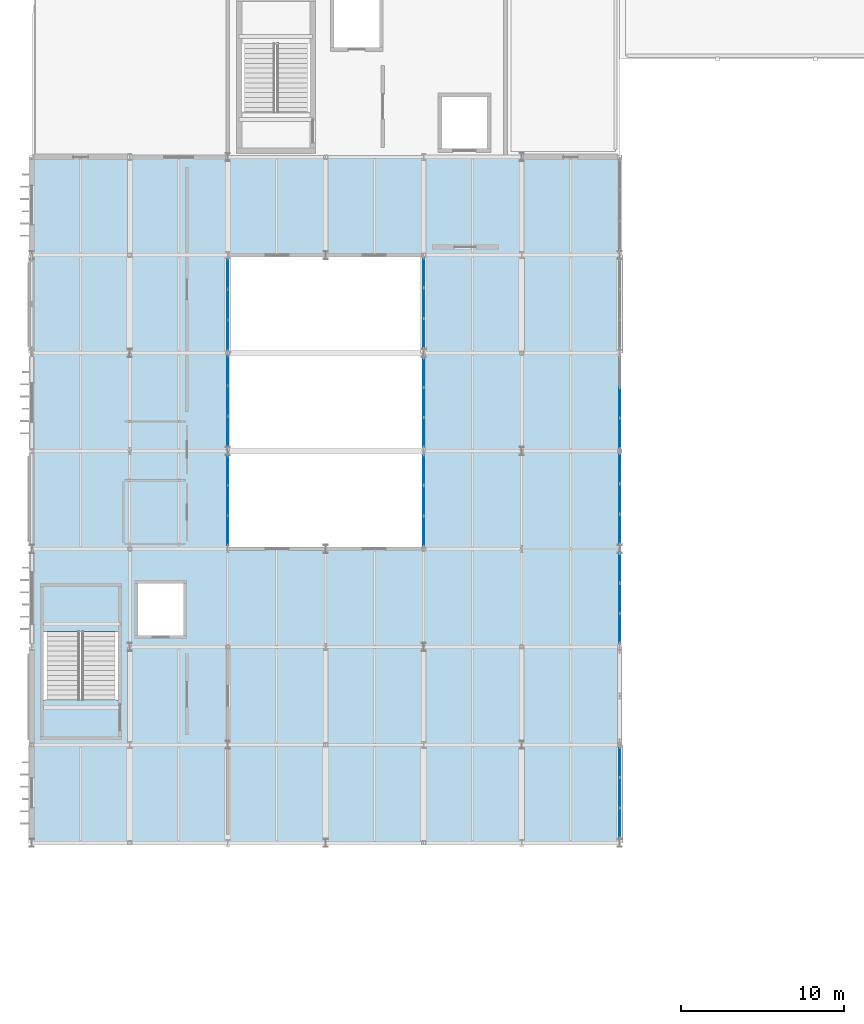
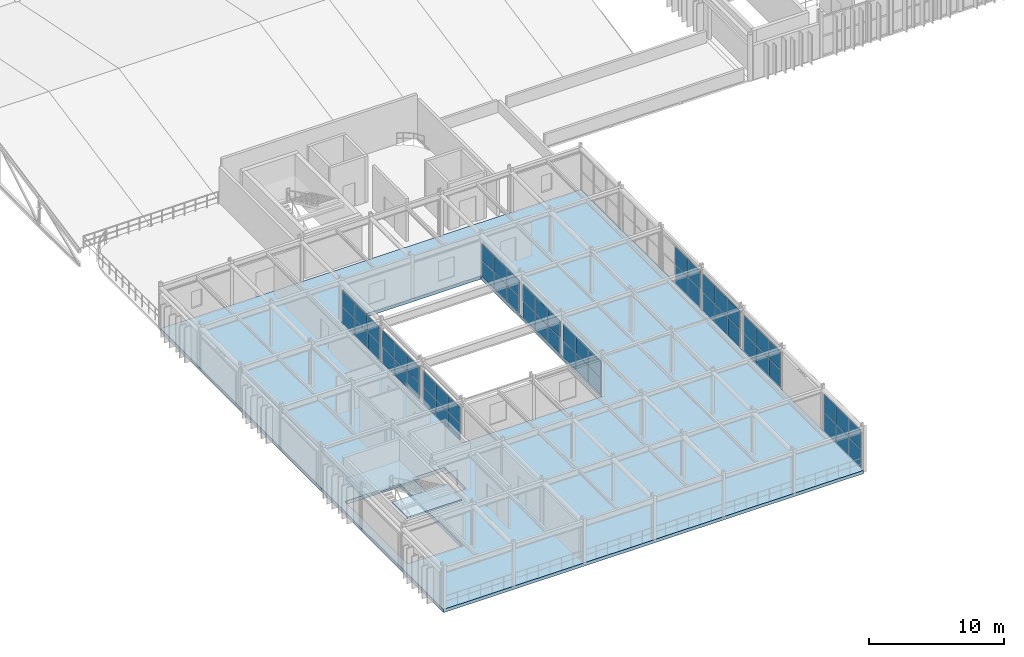
# One storey, part 47 of 83: 58 plates, 3 slabs, 11 elements without a shape of their own.
"""IFC4 building model written with IfcOpenShell, lengths in metres."""

from ifc_helpers import new_model, si_unit, direction, frame, origin, origin_2d, place, context, subcontext, project, spatial, polyline, rectangle, outline, extrude, material, layer, layer_set, type_object, element, aggregate, save


model = new_model("IFC4")

# Units and contexts
model_context = context("Model", 3, precision=1e-05, world=origin(), true_north=direction((0.0, 1.0)))
body_context = subcontext(model_context, "Body", "Model", "MODEL_VIEW")
ifc_project = project(units=[si_unit("LENGTHUNIT", "METRE"), si_unit("AREAUNIT", "SQUARE_METRE"), si_unit("VOLUMEUNIT", "CUBIC_METRE"), si_unit("PLANEANGLEUNIT", "RADIAN"), si_unit("MASSUNIT", "GRAM", prefix="KILO")], contexts=[model_context])

# Site, building, storey
site_placement = place(None, origin())
site = spatial("IfcSite", under=ifc_project, at=site_placement, CompositionType="ELEMENT")
building_placement = place(site_placement, origin())
building = spatial("IfcBuilding", under=site, at=building_placement, Name="Varnakota Square Police Headquarters", CompositionType="ELEMENT")
storey_placement = place(building_placement, frame((0.0, 0.0, 18.0)))
storey = spatial("IfcBuildingStorey", under=building, at=storey_placement, Name="L04", CompositionType="ELEMENT", Elevation=18.0)

# Curtain wall, plates
ifc_material_1 = material(Name="Anodised Aluminium Framing", Category="aluminium")
curtain_wall_type_1 = type_object("IfcCurtainWallType", Name="CW-SYS-D", PredefinedType="NOTDEFINED", material=ifc_material_1)
curtain_wall_1_placement = place(storey_placement, origin())
curtain_wall_1 = element("IfcCurtainWall", 1, at=curtain_wall_1_placement, inside=storey, type_object=curtain_wall_type_1, Name="Unitised curtain wall CWG-L04-183", PredefinedType="NOTDEFINED")
ifc_material_2 = material(Name="Solar-Control Laminated Double Glazing", Category="glass")
ifc_layer_1 = layer(ifc_material_2, 0.028076171875, Name="Solar-Control Laminated Double Glazing")
ifc_layer_set_1 = layer_set([ifc_layer_1], Name="Solar-Control Laminated Double Glazing")
plate_type_1 = type_object("IfcPlateType", Name="CWP-GLZ-28", PredefinedType="CURTAIN_PANEL", material=ifc_layer_set_1)
plate_1_placement = place(storey_placement, frame((42.0, 46.09033203125, 0.06494140625), z_axis=(0.0, 0.0, 1.0), x_axis=(0.0, 1.0, 0.0)))
plate_1 = element("IfcPlate", 2, at=plate_1_placement, type_object=plate_type_1, Name="CWG-L04-183 panel 1.1", PredefinedType="CURTAIN_PANEL", context=body_context, shape_type="SweptSolid", body=[
    extrude(rectangle(XDim=1.790771484375, YDim=0.028076171875, at=origin_2d()), origin(), (0.0, 0.0, 1.0), 1.62255859375),
])
plate_2_placement = place(storey_placement, frame((42.0, 47.96240234375, 0.06494140625), z_axis=(0.0, 0.0, 1.0), x_axis=(0.0, 1.0, 0.0)))
plate_2 = element("IfcPlate", 3, at=plate_2_placement, type_object=plate_type_1, Name="CWG-L04-183 panel 2.1", PredefinedType="CURTAIN_PANEL", context=body_context, shape_type="SweptSolid", body=[
    extrude(rectangle(XDim=1.8232421875, YDim=0.028076171875, at=origin_2d()), origin(), (0.0, 0.0, 1.0), 1.62255859375),
])

curtain_wall_type_2 = type_object("IfcCurtainWallType", Name="CW-SYS-F", PredefinedType="NOTDEFINED", material=ifc_material_1)
curtain_wall_2_placement = place(storey_placement, origin())
curtain_wall_2 = element("IfcCurtainWall", 4, at=curtain_wall_2_placement, inside=storey, type_object=curtain_wall_type_2, Name="Unitised curtain wall CWG-L04-187", PredefinedType="NOTDEFINED")
plate_3_placement = place(storey_placement, frame((30.0, 40.09033203125, 0.06494140625), z_axis=(0.0, 0.0, 1.0), x_axis=(0.0, 1.0, 0.0)))
plate_3 = element("IfcPlate", 5, at=plate_3_placement, type_object=plate_type_1, Name="CWG-L04-187 panel 1.1", PredefinedType="CURTAIN_PANEL", context=body_context, shape_type="SweptSolid", body=[
    extrude(rectangle(XDim=1.790771484375, YDim=0.028076171875, at=origin_2d()), origin(), (0.0, 0.0, 1.0), 1.447509765625),
])
plate_4_placement = place(storey_placement, frame((30.0, 41.96240234375, 0.06494140625), z_axis=(0.0, 0.0, 1.0), x_axis=(0.0, 1.0, 0.0)))
plate_4 = element("IfcPlate", 6, at=plate_4_placement, type_object=plate_type_1, Name="CWG-L04-187 panel 2.1", PredefinedType="CURTAIN_PANEL", context=body_context, shape_type="SweptSolid", body=[
    extrude(rectangle(XDim=1.8232421875, YDim=0.028076171875, at=origin_2d()), origin(), (0.0, 0.0, 1.0), 1.447509765625),
])
plate_5_placement = place(storey_placement, frame((30.0, 43.83447265625, 0.06494140625), z_axis=(0.0, 0.0, 1.0), x_axis=(0.0, 1.0, 0.0)))
plate_5 = element("IfcPlate", 7, at=plate_5_placement, type_object=plate_type_1, Name="CWG-L04-187 panel 3.1", PredefinedType="CURTAIN_PANEL", context=body_context, shape_type="SweptSolid", body=[
    extrude(rectangle(XDim=1.790771484375, YDim=0.028076171875, at=origin_2d()), origin(), (0.0, 0.0, 1.0), 1.447509765625),
])

curtain_wall_3_placement = place(storey_placement, origin())
curtain_wall_3 = element("IfcCurtainWall", 8, at=curtain_wall_3_placement, inside=storey, type_object=curtain_wall_type_2, Name="Unitised curtain wall CWG-L04-191", PredefinedType="NOTDEFINED")
plate_6_placement = place(storey_placement, frame((30.0, 52.20703125, 0.06494140625), z_axis=(0.0, 0.0, 1.0), x_axis=(0.0, 1.0, 0.0)))
plate_6 = element("IfcPlate", 9, at=plate_6_placement, type_object=plate_type_1, Name="CWG-L04-191 panel 1.1", PredefinedType="CURTAIN_PANEL", context=body_context, shape_type="SweptSolid", body=[
    extrude(rectangle(XDim=1.774169921875, YDim=0.028076171875, at=origin_2d()), origin(), (0.0, 0.0, 1.0), 1.447509765625),
])
plate_7_placement = place(storey_placement, frame((30.0, 54.0625, 0.06494140625), z_axis=(0.0, 0.0, 1.0), x_axis=(0.0, 1.0, 0.0)))
plate_7 = element("IfcPlate", 10, at=plate_7_placement, type_object=plate_type_1, Name="CWG-L04-191 panel 2.1", PredefinedType="CURTAIN_PANEL", context=body_context, shape_type="SweptSolid", body=[
    extrude(rectangle(XDim=1.806640625, YDim=0.028076171875, at=origin_2d()), origin(), (0.0, 0.0, 1.0), 1.447509765625),
])
plate_8_placement = place(storey_placement, frame((30.0, 55.91796875, 0.06494140625), z_axis=(0.0, 0.0, 1.0), x_axis=(0.0, 1.0, 0.0)))
plate_8 = element("IfcPlate", 11, at=plate_8_placement, type_object=plate_type_1, Name="CWG-L04-191 panel 3.1", PredefinedType="CURTAIN_PANEL", context=body_context, shape_type="SweptSolid", body=[
    extrude(rectangle(XDim=1.774169921875, YDim=0.028076171875, at=origin_2d()), origin(), (0.0, 0.0, 1.0), 1.447509765625),
])

curtain_wall_4_placement = place(storey_placement, origin())
curtain_wall_4 = element("IfcCurtainWall", 12, at=curtain_wall_4_placement, inside=storey, type_object=curtain_wall_type_1, Name="Unitised curtain wall CWG-L04-180", PredefinedType="NOTDEFINED")
ifc_material_3 = material(Name="Acoustic Laminated Double Glazing", Category="glass")
ifc_layer_2 = layer(ifc_material_3, 0.031982421875, Name="Acoustic Laminated Double Glazing")
ifc_layer_set_2 = layer_set([ifc_layer_2], Name="Acoustic Laminated Double Glazing")
plate_type_2 = type_object("IfcPlateType", Name="CWP-GLZ-32", PredefinedType="CURTAIN_PANEL", material=ifc_layer_set_2)
plate_9_placement = place(storey_placement, frame((42.0, 22.20703125, 0.06494140625), z_axis=(0.0, 0.0, 1.0), x_axis=(0.0, 1.0, 0.0)))
plate_9 = element("IfcPlate", 13, at=plate_9_placement, type_object=plate_type_2, Name="CWG-L04-180 panel 1.1", PredefinedType="CURTAIN_PANEL", context=body_context, shape_type="SweptSolid", body=[
    extrude(rectangle(XDim=1.774169921875, YDim=0.031982421875, at=origin_2d()), origin(), (0.0, 0.0, 1.0), 1.644287109375),
])
plate_10_placement = place(storey_placement, frame((42.0, 24.0625, 0.06494140625), z_axis=(0.0, 0.0, 1.0), x_axis=(0.0, 1.0, 0.0)))
plate_10 = element("IfcPlate", 14, at=plate_10_placement, type_object=plate_type_2, Name="CWG-L04-180 panel 2.1", PredefinedType="CURTAIN_PANEL", context=body_context, shape_type="SweptSolid", body=[
    extrude(rectangle(XDim=1.806640625, YDim=0.031982421875, at=origin_2d()), origin(), (0.0, 0.0, 1.0), 1.644287109375),
])
plate_11_placement = place(storey_placement, frame((42.0, 25.91796875, 0.06494140625), z_axis=(0.0, 0.0, 1.0), x_axis=(0.0, 1.0, 0.0)))
plate_11 = element("IfcPlate", 15, at=plate_11_placement, type_object=plate_type_2, Name="CWG-L04-180 panel 3.1", PredefinedType="CURTAIN_PANEL", context=body_context, shape_type="SweptSolid", body=[
    extrude(rectangle(XDim=1.774169921875, YDim=0.031982421875, at=origin_2d()), origin(), (0.0, 0.0, 1.0), 1.644287109375),
])

curtain_wall_5_placement = place(storey_placement, origin())
curtain_wall_5 = element("IfcCurtainWall", 16, at=curtain_wall_5_placement, inside=storey, type_object=curtain_wall_type_2, Name="Unitised curtain wall CWG-L04-188", PredefinedType="NOTDEFINED")
plate_12_placement = place(storey_placement, frame((18.0, 46.20703125, 0.06494140625), z_axis=(0.0, 0.0, 1.0), x_axis=(0.0, 1.0, 0.0)))
plate_12 = element("IfcPlate", 17, at=plate_12_placement, type_object=plate_type_2, Name="CWG-L04-188 panel 1.1", PredefinedType="CURTAIN_PANEL", context=body_context, shape_type="SweptSolid", body=[
    extrude(rectangle(XDim=1.774169921875, YDim=0.031982421875, at=origin_2d()), origin(), (0.0, 0.0, 1.0), 1.447509765625),
])
plate_13_placement = place(storey_placement, frame((18.0, 48.0625, 0.06494140625), z_axis=(0.0, 0.0, 1.0), x_axis=(0.0, 1.0, 0.0)))
plate_13 = element("IfcPlate", 18, at=plate_13_placement, type_object=plate_type_2, Name="CWG-L04-188 panel 2.1", PredefinedType="CURTAIN_PANEL", context=body_context, shape_type="SweptSolid", body=[
    extrude(rectangle(XDim=1.806640625, YDim=0.031982421875, at=origin_2d()), origin(), (0.0, 0.0, 1.0), 1.447509765625),
])
plate_14_placement = place(storey_placement, frame((18.0, 49.91796875, 0.06494140625), z_axis=(0.0, 0.0, 1.0), x_axis=(0.0, 1.0, 0.0)))
plate_14 = element("IfcPlate", 19, at=plate_14_placement, type_object=plate_type_2, Name="CWG-L04-188 panel 3.1", PredefinedType="CURTAIN_PANEL", context=body_context, shape_type="SweptSolid", body=[
    extrude(rectangle(XDim=1.774169921875, YDim=0.031982421875, at=origin_2d()), origin(), (0.0, 0.0, 1.0), 1.447509765625),
])

curtain_wall_6_placement = place(storey_placement, origin())
curtain_wall_6 = element("IfcCurtainWall", 20, at=curtain_wall_6_placement, inside=storey, type_object=curtain_wall_type_1, Name="Unitised curtain wall CWG-L04-181", PredefinedType="NOTDEFINED")
ifc_material_4 = material(Name="Blast-Resistant Laminated Glazing", Category="glass")
ifc_layer_3 = layer(ifc_material_4, 0.035888671875, Name="Blast-Resistant Laminated Glazing")
ifc_layer_set_3 = layer_set([ifc_layer_3], Name="Blast-Resistant Laminated Glazing")
plate_type_3 = type_object("IfcPlateType", Name="CWP-GLZ-36", PredefinedType="CURTAIN_PANEL", material=ifc_layer_set_3)
plate_15_placement = place(storey_placement, frame((42.0, 34.14453125, 0.06494140625), z_axis=(0.0, 0.0, 1.0), x_axis=(0.0, 1.0, 0.0)))
plate_15 = element("IfcPlate", 21, at=plate_15_placement, type_object=plate_type_3, Name="CWG-L04-181 panel 1.1", PredefinedType="CURTAIN_PANEL", context=body_context, shape_type="SweptSolid", body=[
    extrude(rectangle(XDim=1.749267578125, YDim=0.035888671875, at=origin_2d()), origin(), (0.0, 0.0, 1.0), 1.597412109375),
])
plate_16_placement = place(storey_placement, frame((42.0, 35.97509765625, 0.06494140625), z_axis=(0.0, 0.0, 1.0), x_axis=(0.0, 1.0, 0.0)))
plate_16 = element("IfcPlate", 22, at=plate_16_placement, type_object=plate_type_3, Name="CWG-L04-181 panel 2.1", PredefinedType="CURTAIN_PANEL", context=body_context, shape_type="SweptSolid", body=[
    extrude(rectangle(XDim=1.78173828125, YDim=0.035888671875, at=origin_2d()), origin(), (0.0, 0.0, 1.0), 1.597412109375),
])
plate_17_placement = place(storey_placement, frame((42.0, 37.805419921875, 0.06494140625), z_axis=(0.0, 0.0, 1.0), x_axis=(0.0, 1.0, 0.0)))
plate_17 = element("IfcPlate", 23, at=plate_17_placement, type_object=plate_type_3, Name="CWG-L04-181 panel 3.1", PredefinedType="CURTAIN_PANEL", context=body_context, shape_type="SweptSolid", body=[
    extrude(rectangle(XDim=1.749267578125, YDim=0.035888671875, at=origin_2d()), origin(), (0.0, 0.0, 1.0), 1.597412109375),
])

curtain_wall_7_placement = place(storey_placement, origin())
curtain_wall_7 = element("IfcCurtainWall", 24, at=curtain_wall_7_placement, inside=storey, type_object=curtain_wall_type_2, Name="Unitised curtain wall CWG-L04-189", PredefinedType="NOTDEFINED")
plate_18_placement = place(storey_placement, frame((30.0, 46.14453125, 0.06494140625), z_axis=(0.0, 0.0, 1.0), x_axis=(0.0, 1.0, 0.0)))
plate_18 = element("IfcPlate", 25, at=plate_18_placement, type_object=plate_type_3, Name="CWG-L04-189 panel 1.1", PredefinedType="CURTAIN_PANEL", context=body_context, shape_type="SweptSolid", body=[
    extrude(rectangle(XDim=1.749267578125, YDim=0.035888671875, at=origin_2d()), origin(), (0.0, 0.0, 1.0), 1.447509765625),
])
plate_19_placement = place(storey_placement, frame((30.0, 47.97509765625, 0.06494140625), z_axis=(0.0, 0.0, 1.0), x_axis=(0.0, 1.0, 0.0)))
plate_19 = element("IfcPlate", 26, at=plate_19_placement, type_object=plate_type_3, Name="CWG-L04-189 panel 2.1", PredefinedType="CURTAIN_PANEL", context=body_context, shape_type="SweptSolid", body=[
    extrude(rectangle(XDim=1.78173828125, YDim=0.035888671875, at=origin_2d()), origin(), (0.0, 0.0, 1.0), 1.447509765625),
])
plate_20_placement = place(storey_placement, frame((30.0, 49.805419921875, 0.06494140625), z_axis=(0.0, 0.0, 1.0), x_axis=(0.0, 1.0, 0.0)))
plate_20 = element("IfcPlate", 27, at=plate_20_placement, type_object=plate_type_3, Name="CWG-L04-189 panel 3.1", PredefinedType="CURTAIN_PANEL", context=body_context, shape_type="SweptSolid", body=[
    extrude(rectangle(XDim=1.749267578125, YDim=0.035888671875, at=origin_2d()), origin(), (0.0, 0.0, 1.0), 1.447509765625),
])

curtain_wall_8_placement = place(storey_placement, origin())
curtain_wall_8 = element("IfcCurtainWall", 28, at=curtain_wall_8_placement, inside=storey, type_object=curtain_wall_type_1, Name="Unitised curtain wall CWG-L04-182", PredefinedType="NOTDEFINED")
ifc_material_5 = material(Name="Triple-Glazed Clean-Lab Vision Unit", Category="aluminium")
ifc_layer_4 = layer(ifc_material_5, 0.0419921875, Name="Triple-Glazed Clean-Lab Vision Unit")
ifc_layer_set_4 = layer_set([ifc_layer_4], Name="Triple-Glazed Clean-Lab Vision Unit")
plate_type_4 = type_object("IfcPlateType", Name="CWP-GLZ-42", PredefinedType="CURTAIN_PANEL", material=ifc_layer_set_4)
plate_21_placement = place(storey_placement, frame((42.0, 40.20703125, 0.06494140625), z_axis=(0.0, 0.0, 1.0), x_axis=(0.0, 1.0, 0.0)))
plate_21 = element("IfcPlate", 29, at=plate_21_placement, type_object=plate_type_4, Name="CWG-L04-182 panel 1.1", PredefinedType="CURTAIN_PANEL", context=body_context, shape_type="SweptSolid", body=[
    extrude(rectangle(XDim=1.774169921875, YDim=0.0419921875, at=origin_2d()), origin(), (0.0, 0.0, 1.0), 1.62255859375),
])
plate_22_placement = place(storey_placement, frame((42.0, 42.0625, 0.06494140625), z_axis=(0.0, 0.0, 1.0), x_axis=(0.0, 1.0, 0.0)))
plate_22 = element("IfcPlate", 30, at=plate_22_placement, type_object=plate_type_4, Name="CWG-L04-182 panel 2.1", PredefinedType="CURTAIN_PANEL", context=body_context, shape_type="SweptSolid", body=[
    extrude(rectangle(XDim=1.806640625, YDim=0.0419921875, at=origin_2d()), origin(), (0.0, 0.0, 1.0), 1.62255859375),
])
plate_23_placement = place(storey_placement, frame((42.0, 43.91796875, 0.06494140625), z_axis=(0.0, 0.0, 1.0), x_axis=(0.0, 1.0, 0.0)))
plate_23 = element("IfcPlate", 31, at=plate_23_placement, type_object=plate_type_4, Name="CWG-L04-182 panel 3.1", PredefinedType="CURTAIN_PANEL", context=body_context, shape_type="SweptSolid", body=[
    extrude(rectangle(XDim=1.774169921875, YDim=0.0419921875, at=origin_2d()), origin(), (0.0, 0.0, 1.0), 1.62255859375),
])

curtain_wall_9_placement = place(storey_placement, origin())
curtain_wall_9 = element("IfcCurtainWall", 32, at=curtain_wall_9_placement, inside=storey, type_object=curtain_wall_type_2, Name="Unitised curtain wall CWG-L04-186", PredefinedType="NOTDEFINED")
plate_24_placement = place(storey_placement, frame((18.0, 40.14453125, 0.06494140625), z_axis=(0.0, 0.0, 1.0), x_axis=(0.0, 1.0, 0.0)))
plate_24 = element("IfcPlate", 33, at=plate_24_placement, type_object=plate_type_4, Name="CWG-L04-186 panel 1.1", PredefinedType="CURTAIN_PANEL", context=body_context, shape_type="SweptSolid", body=[
    extrude(rectangle(XDim=1.749267578125, YDim=0.0419921875, at=origin_2d()), origin(), (0.0, 0.0, 1.0), 1.447509765625),
])
plate_25_placement = place(storey_placement, frame((18.0, 41.97509765625, 0.06494140625), z_axis=(0.0, 0.0, 1.0), x_axis=(0.0, 1.0, 0.0)))
plate_25 = element("IfcPlate", 34, at=plate_25_placement, type_object=plate_type_4, Name="CWG-L04-186 panel 2.1", PredefinedType="CURTAIN_PANEL", context=body_context, shape_type="SweptSolid", body=[
    extrude(rectangle(XDim=1.78173828125, YDim=0.0419921875, at=origin_2d()), origin(), (0.0, 0.0, 1.0), 1.447509765625),
])
plate_26_placement = place(storey_placement, frame((18.0, 43.805419921875, 0.06494140625), z_axis=(0.0, 0.0, 1.0), x_axis=(0.0, 1.0, 0.0)))
plate_26 = element("IfcPlate", 35, at=plate_26_placement, type_object=plate_type_4, Name="CWG-L04-186 panel 3.1", PredefinedType="CURTAIN_PANEL", context=body_context, shape_type="SweptSolid", body=[
    extrude(rectangle(XDim=1.749267578125, YDim=0.0419921875, at=origin_2d()), origin(), (0.0, 0.0, 1.0), 1.447509765625),
])

curtain_wall_10_placement = place(storey_placement, origin())
curtain_wall_10 = element("IfcCurtainWall", 36, at=curtain_wall_10_placement, inside=storey, type_object=curtain_wall_type_2, Name="Unitised curtain wall CWG-L04-190", PredefinedType="NOTDEFINED")
plate_27_placement = place(storey_placement, frame((18.0, 52.09033203125, 0.06494140625), z_axis=(0.0, 0.0, 1.0), x_axis=(0.0, 1.0, 0.0)))
plate_27 = element("IfcPlate", 37, at=plate_27_placement, type_object=plate_type_4, Name="CWG-L04-190 panel 1.1", PredefinedType="CURTAIN_PANEL", context=body_context, shape_type="SweptSolid", body=[
    extrude(rectangle(XDim=1.790771484375, YDim=0.0419921875, at=origin_2d()), origin(), (0.0, 0.0, 1.0), 1.447509765625),
])
plate_28_placement = place(storey_placement, frame((18.0, 53.96240234375, 0.06494140625), z_axis=(0.0, 0.0, 1.0), x_axis=(0.0, 1.0, 0.0)))
plate_28 = element("IfcPlate", 38, at=plate_28_placement, type_object=plate_type_4, Name="CWG-L04-190 panel 2.1", PredefinedType="CURTAIN_PANEL", context=body_context, shape_type="SweptSolid", body=[
    extrude(rectangle(XDim=1.8232421875, YDim=0.0419921875, at=origin_2d()), origin(), (0.0, 0.0, 1.0), 1.447509765625),
])
plate_29_placement = place(storey_placement, frame((18.0, 55.83447265625, 0.06494140625), z_axis=(0.0, 0.0, 1.0), x_axis=(0.0, 1.0, 0.0)))
plate_29 = element("IfcPlate", 39, at=plate_29_placement, type_object=plate_type_4, Name="CWG-L04-190 panel 3.1", PredefinedType="CURTAIN_PANEL", context=body_context, shape_type="SweptSolid", body=[
    extrude(rectangle(XDim=1.790771484375, YDim=0.0419921875, at=origin_2d()), origin(), (0.0, 0.0, 1.0), 1.447509765625),
])

# Plate
ifc_material_6 = material(Name="Insulated Anodised Aluminium Spandrel Panel", Category="aluminium")
ifc_layer_5 = layer(ifc_material_6, 0.050048828125, Name="Insulated Anodised Aluminium Spandrel Panel")
ifc_layer_set_5 = layer_set([ifc_layer_5], Name="Insulated Anodised Aluminium Spandrel Panel")
plate_type_5 = type_object("IfcPlateType", Name="CWP-SPN-50", PredefinedType="CURTAIN_PANEL", material=ifc_layer_set_5)
plate_30_placement = place(storey_placement, frame((42.0, 34.14453125, 1.7275390625), z_axis=(0.0, 0.0, 1.0), x_axis=(0.0, 1.0, 0.0)))
plate_30 = element("IfcPlate", 40, at=plate_30_placement, type_object=plate_type_5, Name="CWG-L04-181 panel 1.2", PredefinedType="CURTAIN_PANEL", context=body_context, shape_type="SweptSolid", body=[
    extrude(rectangle(XDim=1.749267578125, YDim=0.050048828125, at=origin_2d()), origin(), (0.0, 0.0, 1.0), 1.597412109375),
])

plate_31_placement = place(storey_placement, frame((42.0, 35.97509765625, 1.7275390625), z_axis=(0.0, 0.0, 1.0), x_axis=(0.0, 1.0, 0.0)))
plate_31 = element("IfcPlate", 41, at=plate_31_placement, type_object=plate_type_5, Name="CWG-L04-181 panel 2.2", PredefinedType="CURTAIN_PANEL", context=body_context, shape_type="SweptSolid", body=[
    extrude(rectangle(XDim=1.78173828125, YDim=0.050048828125, at=origin_2d()), origin(), (0.0, 0.0, 1.0), 1.597412109375),
])

plate_32_placement = place(storey_placement, frame((42.0, 37.805419921875, 1.7275390625), z_axis=(0.0, 0.0, 1.0), x_axis=(0.0, 1.0, 0.0)))
plate_32 = element("IfcPlate", 42, at=plate_32_placement, type_object=plate_type_5, Name="CWG-L04-181 panel 3.2", PredefinedType="CURTAIN_PANEL", context=body_context, shape_type="SweptSolid", body=[
    extrude(rectangle(XDim=1.749267578125, YDim=0.050048828125, at=origin_2d()), origin(), (0.0, 0.0, 1.0), 1.597412109375),
])

aggregate(curtain_wall_6, [plate_15, plate_30, plate_16, plate_31, plate_17, plate_32])

plate_33_placement = place(storey_placement, frame((42.0, 46.09033203125, 1.75244140625), z_axis=(0.0, 0.0, 1.0), x_axis=(0.0, 1.0, 0.0)))
plate_33 = element("IfcPlate", 43, at=plate_33_placement, type_object=plate_type_5, Name="CWG-L04-183 panel 1.2", PredefinedType="CURTAIN_PANEL", context=body_context, shape_type="SweptSolid", body=[
    extrude(rectangle(XDim=1.790771484375, YDim=0.050048828125, at=origin_2d()), origin(), (0.0, 0.0, 1.0), 1.62255859375),
])

plate_34_placement = place(storey_placement, frame((42.0, 47.96240234375, 1.75244140625), z_axis=(0.0, 0.0, 1.0), x_axis=(0.0, 1.0, 0.0)))
plate_34 = element("IfcPlate", 44, at=plate_34_placement, type_object=plate_type_5, Name="CWG-L04-183 panel 2.2", PredefinedType="CURTAIN_PANEL", context=body_context, shape_type="SweptSolid", body=[
    extrude(rectangle(XDim=1.8232421875, YDim=0.050048828125, at=origin_2d()), origin(), (0.0, 0.0, 1.0), 1.62255859375),
])

aggregate(curtain_wall_1, [plate_1, plate_33, plate_2, plate_34])

plate_35_placement = place(storey_placement, frame((30.0, 40.09033203125, 1.57763671875), z_axis=(0.0, 0.0, 1.0), x_axis=(0.0, 1.0, 0.0)))
plate_35 = element("IfcPlate", 45, at=plate_35_placement, type_object=plate_type_5, Name="CWG-L04-187 panel 1.2", PredefinedType="CURTAIN_PANEL", context=body_context, shape_type="SweptSolid", body=[
    extrude(rectangle(XDim=1.790771484375, YDim=0.050048828125, at=origin_2d()), origin(), (0.0, 0.0, 1.0), 1.447509765625),
])

plate_36_placement = place(storey_placement, frame((30.0, 41.96240234375, 1.57763671875), z_axis=(0.0, 0.0, 1.0), x_axis=(0.0, 1.0, 0.0)))
plate_36 = element("IfcPlate", 46, at=plate_36_placement, type_object=plate_type_5, Name="CWG-L04-187 panel 2.2", PredefinedType="CURTAIN_PANEL", context=body_context, shape_type="SweptSolid", body=[
    extrude(rectangle(XDim=1.8232421875, YDim=0.050048828125, at=origin_2d()), origin(), (0.0, 0.0, 1.0), 1.447509765625),
])

plate_37_placement = place(storey_placement, frame((30.0, 43.83447265625, 1.57763671875), z_axis=(0.0, 0.0, 1.0), x_axis=(0.0, 1.0, 0.0)))
plate_37 = element("IfcPlate", 47, at=plate_37_placement, type_object=plate_type_5, Name="CWG-L04-187 panel 3.2", PredefinedType="CURTAIN_PANEL", context=body_context, shape_type="SweptSolid", body=[
    extrude(rectangle(XDim=1.790771484375, YDim=0.050048828125, at=origin_2d()), origin(), (0.0, 0.0, 1.0), 1.447509765625),
])

aggregate(curtain_wall_2, [plate_3, plate_35, plate_4, plate_36, plate_5, plate_37])

plate_38_placement = place(storey_placement, frame((30.0, 46.14453125, 1.57763671875), z_axis=(0.0, 0.0, 1.0), x_axis=(0.0, 1.0, 0.0)))
plate_38 = element("IfcPlate", 48, at=plate_38_placement, type_object=plate_type_5, Name="CWG-L04-189 panel 1.2", PredefinedType="CURTAIN_PANEL", context=body_context, shape_type="SweptSolid", body=[
    extrude(rectangle(XDim=1.749267578125, YDim=0.050048828125, at=origin_2d()), origin(), (0.0, 0.0, 1.0), 1.447509765625),
])

plate_39_placement = place(storey_placement, frame((30.0, 47.97509765625, 1.57763671875), z_axis=(0.0, 0.0, 1.0), x_axis=(0.0, 1.0, 0.0)))
plate_39 = element("IfcPlate", 49, at=plate_39_placement, type_object=plate_type_5, Name="CWG-L04-189 panel 2.2", PredefinedType="CURTAIN_PANEL", context=body_context, shape_type="SweptSolid", body=[
    extrude(rectangle(XDim=1.78173828125, YDim=0.050048828125, at=origin_2d()), origin(), (0.0, 0.0, 1.0), 1.447509765625),
])

plate_40_placement = place(storey_placement, frame((30.0, 49.805419921875, 1.57763671875), z_axis=(0.0, 0.0, 1.0), x_axis=(0.0, 1.0, 0.0)))
plate_40 = element("IfcPlate", 50, at=plate_40_placement, type_object=plate_type_5, Name="CWG-L04-189 panel 3.2", PredefinedType="CURTAIN_PANEL", context=body_context, shape_type="SweptSolid", body=[
    extrude(rectangle(XDim=1.749267578125, YDim=0.050048828125, at=origin_2d()), origin(), (0.0, 0.0, 1.0), 1.447509765625),
])

aggregate(curtain_wall_7, [plate_18, plate_38, plate_19, plate_39, plate_20, plate_40])

plate_41_placement = place(storey_placement, frame((30.0, 52.20703125, 1.57763671875), z_axis=(0.0, 0.0, 1.0), x_axis=(0.0, 1.0, 0.0)))
plate_41 = element("IfcPlate", 51, at=plate_41_placement, type_object=plate_type_5, Name="CWG-L04-191 panel 1.2", PredefinedType="CURTAIN_PANEL", context=body_context, shape_type="SweptSolid", body=[
    extrude(rectangle(XDim=1.774169921875, YDim=0.050048828125, at=origin_2d()), origin(), (0.0, 0.0, 1.0), 1.447509765625),
])

plate_42_placement = place(storey_placement, frame((30.0, 54.0625, 1.57763671875), z_axis=(0.0, 0.0, 1.0), x_axis=(0.0, 1.0, 0.0)))
plate_42 = element("IfcPlate", 52, at=plate_42_placement, type_object=plate_type_5, Name="CWG-L04-191 panel 2.2", PredefinedType="CURTAIN_PANEL", context=body_context, shape_type="SweptSolid", body=[
    extrude(rectangle(XDim=1.806640625, YDim=0.050048828125, at=origin_2d()), origin(), (0.0, 0.0, 1.0), 1.447509765625),
])

plate_43_placement = place(storey_placement, frame((30.0, 55.91796875, 1.57763671875), z_axis=(0.0, 0.0, 1.0), x_axis=(0.0, 1.0, 0.0)))
plate_43 = element("IfcPlate", 53, at=plate_43_placement, type_object=plate_type_5, Name="CWG-L04-191 panel 3.2", PredefinedType="CURTAIN_PANEL", context=body_context, shape_type="SweptSolid", body=[
    extrude(rectangle(XDim=1.774169921875, YDim=0.050048828125, at=origin_2d()), origin(), (0.0, 0.0, 1.0), 1.447509765625),
])

aggregate(curtain_wall_3, [plate_6, plate_41, plate_7, plate_42, plate_8, plate_43])

ifc_material_7 = material(Name="Fire-Stopped Mineral-Wool Spandrel Panel", Category="aluminium")
ifc_layer_6 = layer(ifc_material_7, 0.06005859375, Name="Fire-Stopped Mineral-Wool Spandrel Panel")
ifc_layer_set_6 = layer_set([ifc_layer_6], Name="Fire-Stopped Mineral-Wool Spandrel Panel")
plate_type_6 = type_object("IfcPlateType", Name="CWP-SPN-60", PredefinedType="CURTAIN_PANEL", material=ifc_layer_set_6)
plate_44_placement = place(storey_placement, frame((42.0, 22.20703125, 1.7744140625), z_axis=(0.0, 0.0, 1.0), x_axis=(0.0, 1.0, 0.0)))
plate_44 = element("IfcPlate", 54, at=plate_44_placement, type_object=plate_type_6, Name="CWG-L04-180 panel 1.2", PredefinedType="CURTAIN_PANEL", context=body_context, shape_type="SweptSolid", body=[
    extrude(rectangle(XDim=1.774169921875, YDim=0.06005859375, at=origin_2d()), origin(), (0.0, 0.0, 1.0), 1.644287109375),
])

plate_45_placement = place(storey_placement, frame((42.0, 24.0625, 1.7744140625), z_axis=(0.0, 0.0, 1.0), x_axis=(0.0, 1.0, 0.0)))
plate_45 = element("IfcPlate", 55, at=plate_45_placement, type_object=plate_type_6, Name="CWG-L04-180 panel 2.2", PredefinedType="CURTAIN_PANEL", context=body_context, shape_type="SweptSolid", body=[
    extrude(rectangle(XDim=1.806640625, YDim=0.06005859375, at=origin_2d()), origin(), (0.0, 0.0, 1.0), 1.644287109375),
])

plate_46_placement = place(storey_placement, frame((42.0, 25.91796875, 1.7744140625), z_axis=(0.0, 0.0, 1.0), x_axis=(0.0, 1.0, 0.0)))
plate_46 = element("IfcPlate", 56, at=plate_46_placement, type_object=plate_type_6, Name="CWG-L04-180 panel 3.2", PredefinedType="CURTAIN_PANEL", context=body_context, shape_type="SweptSolid", body=[
    extrude(rectangle(XDim=1.774169921875, YDim=0.06005859375, at=origin_2d()), origin(), (0.0, 0.0, 1.0), 1.644287109375),
])

aggregate(curtain_wall_4, [plate_9, plate_44, plate_10, plate_45, plate_11, plate_46])

plate_47_placement = place(storey_placement, frame((42.0, 40.20703125, 1.75244140625), z_axis=(0.0, 0.0, 1.0), x_axis=(0.0, 1.0, 0.0)))
plate_47 = element("IfcPlate", 57, at=plate_47_placement, type_object=plate_type_6, Name="CWG-L04-182 panel 1.2", PredefinedType="CURTAIN_PANEL", context=body_context, shape_type="SweptSolid", body=[
    extrude(rectangle(XDim=1.774169921875, YDim=0.06005859375, at=origin_2d()), origin(), (0.0, 0.0, 1.0), 1.62255859375),
])

plate_48_placement = place(storey_placement, frame((42.0, 42.0625, 1.75244140625), z_axis=(0.0, 0.0, 1.0), x_axis=(0.0, 1.0, 0.0)))
plate_48 = element("IfcPlate", 58, at=plate_48_placement, type_object=plate_type_6, Name="CWG-L04-182 panel 2.2", PredefinedType="CURTAIN_PANEL", context=body_context, shape_type="SweptSolid", body=[
    extrude(rectangle(XDim=1.806640625, YDim=0.06005859375, at=origin_2d()), origin(), (0.0, 0.0, 1.0), 1.62255859375),
])

plate_49_placement = place(storey_placement, frame((42.0, 43.91796875, 1.75244140625), z_axis=(0.0, 0.0, 1.0), x_axis=(0.0, 1.0, 0.0)))
plate_49 = element("IfcPlate", 59, at=plate_49_placement, type_object=plate_type_6, Name="CWG-L04-182 panel 3.2", PredefinedType="CURTAIN_PANEL", context=body_context, shape_type="SweptSolid", body=[
    extrude(rectangle(XDim=1.774169921875, YDim=0.06005859375, at=origin_2d()), origin(), (0.0, 0.0, 1.0), 1.62255859375),
])

aggregate(curtain_wall_8, [plate_21, plate_47, plate_22, plate_48, plate_23, plate_49])

plate_50_placement = place(storey_placement, frame((18.0, 40.14453125, 1.57763671875), z_axis=(0.0, 0.0, 1.0), x_axis=(0.0, 1.0, 0.0)))
plate_50 = element("IfcPlate", 60, at=plate_50_placement, type_object=plate_type_6, Name="CWG-L04-186 panel 1.2", PredefinedType="CURTAIN_PANEL", context=body_context, shape_type="SweptSolid", body=[
    extrude(rectangle(XDim=1.749267578125, YDim=0.06005859375, at=origin_2d()), origin(), (0.0, 0.0, 1.0), 1.447509765625),
])

plate_51_placement = place(storey_placement, frame((18.0, 41.97509765625, 1.57763671875), z_axis=(0.0, 0.0, 1.0), x_axis=(0.0, 1.0, 0.0)))
plate_51 = element("IfcPlate", 61, at=plate_51_placement, type_object=plate_type_6, Name="CWG-L04-186 panel 2.2", PredefinedType="CURTAIN_PANEL", context=body_context, shape_type="SweptSolid", body=[
    extrude(rectangle(XDim=1.78173828125, YDim=0.06005859375, at=origin_2d()), origin(), (0.0, 0.0, 1.0), 1.447509765625),
])

plate_52_placement = place(storey_placement, frame((18.0, 43.805419921875, 1.57763671875), z_axis=(0.0, 0.0, 1.0), x_axis=(0.0, 1.0, 0.0)))
plate_52 = element("IfcPlate", 62, at=plate_52_placement, type_object=plate_type_6, Name="CWG-L04-186 panel 3.2", PredefinedType="CURTAIN_PANEL", context=body_context, shape_type="SweptSolid", body=[
    extrude(rectangle(XDim=1.749267578125, YDim=0.06005859375, at=origin_2d()), origin(), (0.0, 0.0, 1.0), 1.447509765625),
])

aggregate(curtain_wall_9, [plate_24, plate_50, plate_25, plate_51, plate_26, plate_52])

plate_53_placement = place(storey_placement, frame((18.0, 46.20703125, 1.57763671875), z_axis=(0.0, 0.0, 1.0), x_axis=(0.0, 1.0, 0.0)))
plate_53 = element("IfcPlate", 63, at=plate_53_placement, type_object=plate_type_6, Name="CWG-L04-188 panel 1.2", PredefinedType="CURTAIN_PANEL", context=body_context, shape_type="SweptSolid", body=[
    extrude(rectangle(XDim=1.774169921875, YDim=0.06005859375, at=origin_2d()), origin(), (0.0, 0.0, 1.0), 1.447509765625),
])

plate_54_placement = place(storey_placement, frame((18.0, 48.0625, 1.57763671875), z_axis=(0.0, 0.0, 1.0), x_axis=(0.0, 1.0, 0.0)))
plate_54 = element("IfcPlate", 64, at=plate_54_placement, type_object=plate_type_6, Name="CWG-L04-188 panel 2.2", PredefinedType="CURTAIN_PANEL", context=body_context, shape_type="SweptSolid", body=[
    extrude(rectangle(XDim=1.806640625, YDim=0.06005859375, at=origin_2d()), origin(), (0.0, 0.0, 1.0), 1.447509765625),
])

plate_55_placement = place(storey_placement, frame((18.0, 49.91796875, 1.57763671875), z_axis=(0.0, 0.0, 1.0), x_axis=(0.0, 1.0, 0.0)))
plate_55 = element("IfcPlate", 65, at=plate_55_placement, type_object=plate_type_6, Name="CWG-L04-188 panel 3.2", PredefinedType="CURTAIN_PANEL", context=body_context, shape_type="SweptSolid", body=[
    extrude(rectangle(XDim=1.774169921875, YDim=0.06005859375, at=origin_2d()), origin(), (0.0, 0.0, 1.0), 1.447509765625),
])

aggregate(curtain_wall_5, [plate_12, plate_53, plate_13, plate_54, plate_14, plate_55])

plate_56_placement = place(storey_placement, frame((18.0, 52.09033203125, 1.57763671875), z_axis=(0.0, 0.0, 1.0), x_axis=(0.0, 1.0, 0.0)))
plate_56 = element("IfcPlate", 66, at=plate_56_placement, type_object=plate_type_6, Name="CWG-L04-190 panel 1.2", PredefinedType="CURTAIN_PANEL", context=body_context, shape_type="SweptSolid", body=[
    extrude(rectangle(XDim=1.790771484375, YDim=0.06005859375, at=origin_2d()), origin(), (0.0, 0.0, 1.0), 1.447509765625),
])

plate_57_placement = place(storey_placement, frame((18.0, 53.96240234375, 1.57763671875), z_axis=(0.0, 0.0, 1.0), x_axis=(0.0, 1.0, 0.0)))
plate_57 = element("IfcPlate", 67, at=plate_57_placement, type_object=plate_type_6, Name="CWG-L04-190 panel 2.2", PredefinedType="CURTAIN_PANEL", context=body_context, shape_type="SweptSolid", body=[
    extrude(rectangle(XDim=1.8232421875, YDim=0.06005859375, at=origin_2d()), origin(), (0.0, 0.0, 1.0), 1.447509765625),
])

plate_58_placement = place(storey_placement, frame((18.0, 55.83447265625, 1.57763671875), z_axis=(0.0, 0.0, 1.0), x_axis=(0.0, 1.0, 0.0)))
plate_58 = element("IfcPlate", 68, at=plate_58_placement, type_object=plate_type_6, Name="CWG-L04-190 panel 3.2", PredefinedType="CURTAIN_PANEL", context=body_context, shape_type="SweptSolid", body=[
    extrude(rectangle(XDim=1.790771484375, YDim=0.06005859375, at=origin_2d()), origin(), (0.0, 0.0, 1.0), 1.447509765625),
])

aggregate(curtain_wall_10, [plate_27, plate_56, plate_28, plate_57, plate_29, plate_58])

# Slab
ifc_material_8 = material(Name="Concrete M40", Category="concrete")
ifc_layer_7 = layer(ifc_material_8, 0.300048828125, Name="Concrete M40")
ifc_layer_set_7 = layer_set([ifc_layer_7], Name="Concrete M40")
slab_type_1 = type_object("IfcSlabType", Name="SL-LAB-300", PredefinedType="FLOOR", material=ifc_layer_set_7)
slab_1_placement = place(storey_placement, frame((0.0, 0.0, -0.300048828125)))
element("IfcSlab", 69, at=slab_1_placement, inside=storey, type_object=slab_type_1, Name="L04 Toxicology and Chemistry Forensic Slab", PredefinedType="FLOOR", context=body_context, shape_type="SweptSolid", body=[
    extrude(outline(polyline([(6.0, 21.0), (42.0, 21.0), (42.0, 63.0), (6.0, 63.0), (6.0, 21.0)]), holes=[polyline([(18.0, 39.0), (30.0, 39.0), (30.0, 57.0), (18.0, 57.0), (18.0, 39.0)]), polyline([(6.655029296875, 27.455078125), (11.344970703125, 27.455078125), (11.344970703125, 36.7451171875), (6.655029296875, 36.7451171875), (6.655029296875, 27.455078125)]), polyline([(12.514892578125, 33.715087890625), (15.284912109375, 33.715087890625), (15.284912109375, 36.885009765625), (12.514892578125, 36.885009765625), (12.514892578125, 33.715087890625)])]), origin(), (0.0, 0.0, 1.0), 0.300048828125),
])

# Stair, slabs
stair_type = type_object("IfcStairType", Name="STR-DOG-2000", PredefinedType="USERDEFINED", material=ifc_material_8)
stair_placement = place(storey_placement, origin())
stair = element("IfcStair", 70, at=stair_placement, inside=storey, type_object=stair_type, Name="Protected exit stair ST4 (L04)", ObjectType="TWO_RETURN_STAIR", PredefinedType="USERDEFINED")
ifc_layer_8 = layer(ifc_material_8, 0.166015625, Name="Concrete M40")
ifc_layer_set_8 = layer_set([ifc_layer_8], Name="Concrete M40")
slab_type_2 = type_object("IfcSlabType", Name="SLB-LND-2000", PredefinedType="LANDING", material=ifc_layer_set_8)
slab_2_placement = place(storey_placement, frame((0.0, 0.0, 1.93408203125)))
slab_2 = element("IfcSlab", 71, at=slab_2_placement, type_object=slab_type_2, Name="ST4-L04 landing 1", PredefinedType="LANDING", context=body_context, shape_type="SweptSolid", body=[
    extrude(outline(polyline([(6.659912109375, 33.95068359375), (11.340087890625, 33.95068359375), (11.340087890625, 36.739990234375), (6.659912109375, 36.739990234375), (6.659912109375, 33.95068359375)])), origin(), (0.0, 0.0, 1.0), 0.166015625),
])
slab_3_placement = place(storey_placement, frame((0.0, 0.0, 4.033935546875)))
slab_3 = element("IfcSlab", 72, at=slab_3_placement, type_object=slab_type_2, Name="ST4-L04 landing 2", PredefinedType="LANDING", context=body_context, shape_type="SweptSolid", body=[
    extrude(outline(polyline([(6.659912109375, 27.4599609375), (11.340087890625, 27.4599609375), (11.340087890625, 29.75), (6.659912109375, 29.75), (6.659912109375, 27.4599609375)])), origin(), (0.0, 0.0, 1.0), 0.166015625),
])
aggregate(stair, [slab_2, slab_3])

save(model, "model.ifc")
